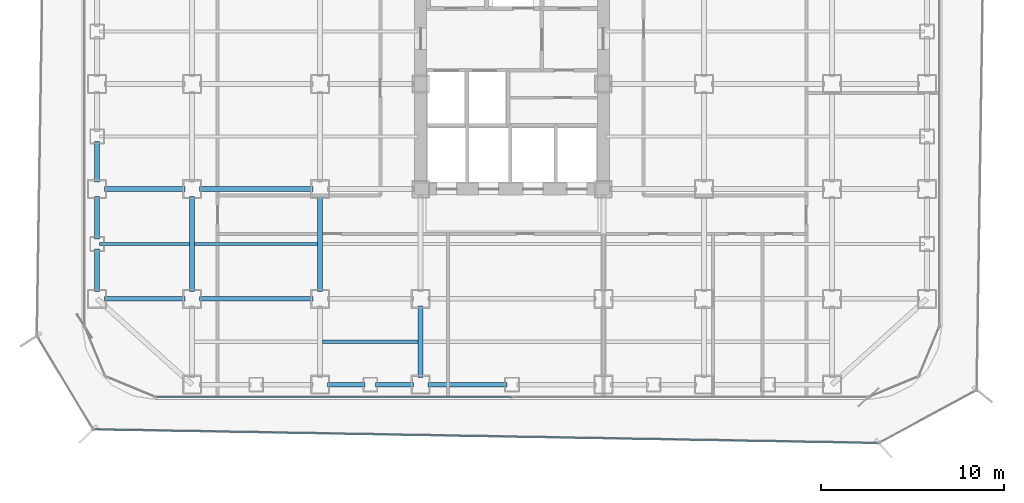
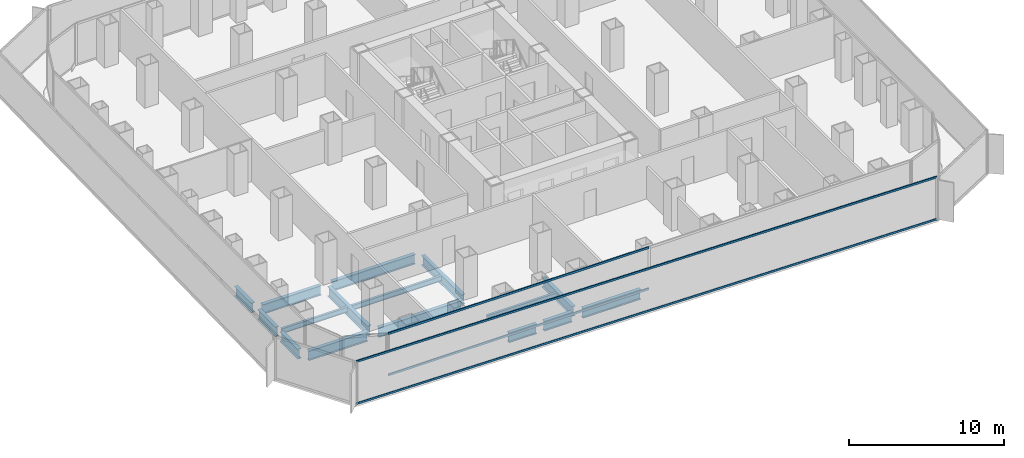
# One storey, part 3 of 21: 16 beams, 4 members, 2 elements without a shape of their own.
"""IFC4 building model written with IfcOpenShell, lengths in metres."""

from ifc_helpers import new_model, si_unit, direction, frame, origin, origin_2d, place, context, subcontext, project, spatial, hollow_rectangle, i_section, extrude, source, transform, mapped, material, layer, layer_set, material_profile, profile_set, type_object, element, aggregate, save


model = new_model("IFC4")

# Units and contexts
model_context = context("Model", 3, precision=1e-05, world=origin(), true_north=direction((0.0, 1.0)))
body_context = subcontext(model_context, "Body", "Model", "MODEL_VIEW")
ifc_project = project(units=[si_unit("LENGTHUNIT", "METRE"), si_unit("AREAUNIT", "SQUARE_METRE"), si_unit("VOLUMEUNIT", "CUBIC_METRE"), si_unit("PLANEANGLEUNIT", "RADIAN"), si_unit("MASSUNIT", "GRAM", prefix="KILO")], contexts=[model_context])

# Site, building, storey
site_placement = place(None, origin())
site = spatial("IfcSite", under=ifc_project, at=site_placement, CompositionType="ELEMENT")
building_placement = place(site_placement, origin())
building = spatial("IfcBuilding", under=site, at=building_placement, Name="Kolveth Station Tower", CompositionType="ELEMENT")
storey_placement = place(building_placement, frame((0.0, 0.0, 36.89990234375)))
storey = spatial("IfcBuildingStorey", under=building, at=storey_placement, Name="L09", CompositionType="ELEMENT", Elevation=36.89990234375)

# Beams
ifc_material_1 = material(Name="Steel S355", Category="steel")
ifc_material_profile_1 = material_profile(ifc_material_1, i_section(OverallWidth=0.26904296875, OverallDepth=0.77490234375, WebThickness=0.01708984375, FlangeThickness=0.0283203125, at=origin_2d()), Name="W760x220")
ifc_profile_set_1 = profile_set([ifc_material_profile_1], Name="Steel S355")
beam_type_1 = type_object("IfcBeamType", Name="Beam_SP1", PredefinedType="SPANDREL", material=ifc_profile_set_1)
shared_shape_1 = source(origin(), body_context, "Body", "SweptSolid", [
    extrude(i_section(OverallWidth=0.26904296875, OverallDepth=0.77490234375, WebThickness=0.01708984375, FlangeThickness=0.0283203125, at=origin_2d()), origin(), (0.0, 0.0, 1.0), 2.070068359375),
])
for number, where, z_axis, x_axis, name in (
    (1, (13.39990234375, 0.800048828125, -0.66748046875), (1.0, 0.0, 0.0), (0.0, 1.0, 0.0), "L09 Perimeter Spandrel BM-L09-PS-3"),
    (2, (16.030029296875, 0.800048828125, -0.66748046875), (1.0, 0.0, 0.0), (0.0, 1.0, 0.0), "L09 Perimeter Spandrel BM-L09-PS-4"),
):
    element("IfcBeam", number, at=place(storey_placement, frame(where, z_axis=z_axis, x_axis=x_axis)), inside=storey, type_object=beam_type_1, Name=name, PredefinedType="SPANDREL", context=body_context, shape_type="MappedRepresentation", body=[
        mapped(shared_shape_1, transform((0.0, 0.0, 0.0), x_axis=(1.0, 0.0, 0.0), y_axis=(0.0, 1.0, 0.0), z_axis=(0.0, 0.0, 1.0), scale=1.0)),
    ])
shared_shape_2 = source(origin(), body_context, "Body", "SweptSolid", [
    extrude(i_section(OverallWidth=0.26904296875, OverallDepth=0.77490234375, WebThickness=0.01708984375, FlangeThickness=0.0283203125, at=origin_2d()), origin(), (0.0, 0.0, 1.0), 4.320068359375),
])
beam_1_placement = place(storey_placement, frame((18.89990234375, 0.800048828125, -0.66748046875), z_axis=(1.0, 0.0, 0.0), x_axis=(0.0, 1.0, 0.0)))
element("IfcBeam", 3, at=beam_1_placement, inside=storey, type_object=beam_type_1, Name="L09 Perimeter Spandrel BM-L09-PS-5", PredefinedType="SPANDREL", context=body_context, shape_type="MappedRepresentation", body=[
    mapped(shared_shape_2, transform((0.0, 0.0, 0.0), x_axis=(1.0, 0.0, 0.0), y_axis=(0.0, 1.0, 0.0), z_axis=(0.0, 0.0, 1.0), scale=1.0)),
])
shared_shape_3 = source(origin(), body_context, "Body", "SweptSolid", [
    extrude(i_section(OverallWidth=0.26904296875, OverallDepth=0.77490234375, WebThickness=0.01708984375, FlangeThickness=0.0283203125, at=origin_2d()), origin(), (0.0, 0.0, 1.0), 2.320068359375),
])
for number, where, z_axis, x_axis, name in (
    (4, (0.800048828125, 5.89990234375, -0.66748046875), (0.0, 1.0, 0.0), (-1.0, 0.0, 0.0), "L09 Perimeter Spandrel BM-L09-PW-1"),
    (5, (0.800048828125, 8.780029296875, -0.66748046875), (0.0, 1.0, 0.0), (-1.0, 0.0, 0.0), "L09 Perimeter Spandrel BM-L09-PW-2"),
):
    element("IfcBeam", number, at=place(storey_placement, frame(where, z_axis=z_axis, x_axis=x_axis)), inside=storey, type_object=beam_type_1, Name=name, PredefinedType="SPANDREL", context=body_context, shape_type="MappedRepresentation", body=[
        mapped(shared_shape_3, transform((0.0, 0.0, 0.0), x_axis=(1.0, 0.0, 0.0), y_axis=(0.0, 1.0, 0.0), z_axis=(0.0, 0.0, 1.0), scale=1.0)),
    ])
shared_shape_4 = source(origin(), body_context, "Body", "SweptSolid", [
    extrude(i_section(OverallWidth=0.26904296875, OverallDepth=0.77490234375, WebThickness=0.01708984375, FlangeThickness=0.0283203125, at=origin_2d()), origin(), (0.0, 0.0, 1.0), 2.2001953125),
])
beam_2_placement = place(storey_placement, frame((0.800048828125, 11.89990234375, -0.66748046875), z_axis=(0.0, 1.0, 0.0), x_axis=(-1.0, 0.0, 0.0)))
element("IfcBeam", 6, at=beam_2_placement, inside=storey, type_object=beam_type_1, Name="L09 Perimeter Spandrel BM-L09-PW-3", PredefinedType="SPANDREL", context=body_context, shape_type="MappedRepresentation", body=[
    mapped(shared_shape_4, transform((0.0, 0.0, 0.0), x_axis=(1.0, 0.0, 0.0), y_axis=(0.0, 1.0, 0.0), z_axis=(0.0, 0.0, 1.0), scale=1.0)),
])
ifc_material_profile_2 = material_profile(ifc_material_1, i_section(OverallWidth=0.26708984375, OverallDepth=0.76611328125, WebThickness=0.014892578125, FlangeThickness=0.023681640625, at=origin_2d()), Name="W760x185")
ifc_profile_set_2 = profile_set([ifc_material_profile_2], Name="Steel S355")
beam_type_2 = type_object("IfcBeamType", Name="Beam_B3", PredefinedType="BEAM", material=ifc_profile_set_2)
shared_shape_5 = source(origin(), body_context, "Body", "SweptSolid", [
    extrude(i_section(OverallWidth=0.26708984375, OverallDepth=0.76611328125, WebThickness=0.014892578125, FlangeThickness=0.023681640625, at=origin_2d()), origin(), (0.0, 0.0, 1.0), 4.400146484375),
])
for number, where, z_axis, x_axis, name in (
    (7, (1.199951171875, 5.5, -0.662841796875), (1.0, 0.0, 0.0), (0.0, 1.0, 0.0), "L09 Primary Girder BM-L09-GY55-1"),
    (8, (1.199951171875, 11.5, -0.662841796875), (1.0, 0.0, 0.0), (0.0, 1.0, 0.0), "L09 Primary Girder BM-L09-GY115-1"),
):
    element("IfcBeam", number, at=place(storey_placement, frame(where, z_axis=z_axis, x_axis=x_axis)), inside=storey, type_object=beam_type_2, Name=name, PredefinedType="BEAM", context=body_context, shape_type="MappedRepresentation", body=[
        mapped(shared_shape_5, transform((0.0, 0.0, 0.0), x_axis=(1.0, 0.0, 0.0), y_axis=(0.0, 1.0, 0.0), z_axis=(0.0, 0.0, 1.0), scale=1.0)),
    ])
shared_shape_6 = source(origin(), body_context, "Body", "SweptSolid", [
    extrude(i_section(OverallWidth=0.26708984375, OverallDepth=0.76611328125, WebThickness=0.014892578125, FlangeThickness=0.023681640625, at=origin_2d()), origin(), (0.0, 0.0, 1.0), 6.2001953125),
])
for number, where, z_axis, x_axis, name in (
    (9, (6.39990234375, 5.5, -0.662841796875), (1.0, 0.0, 0.0), (0.0, 1.0, 0.0), "L09 Primary Girder BM-L09-GY55-2"),
    (10, (6.39990234375, 11.5, -0.662841796875), (1.0, 0.0, 0.0), (0.0, 1.0, 0.0), "L09 Primary Girder BM-L09-GY115-2"),
):
    element("IfcBeam", number, at=place(storey_placement, frame(where, z_axis=z_axis, x_axis=x_axis)), inside=storey, type_object=beam_type_2, Name=name, PredefinedType="BEAM", context=body_context, shape_type="MappedRepresentation", body=[
        mapped(shared_shape_6, transform((0.0, 0.0, 0.0), x_axis=(1.0, 0.0, 0.0), y_axis=(0.0, 1.0, 0.0), z_axis=(0.0, 0.0, 1.0), scale=1.0)),
    ])
shared_shape_7 = source(origin(), body_context, "Body", "SweptSolid", [
    extrude(i_section(OverallWidth=0.26708984375, OverallDepth=0.76611328125, WebThickness=0.014892578125, FlangeThickness=0.023681640625, at=origin_2d()), origin(), (0.0, 0.0, 1.0), 3.900146484375),
])
beam_3_placement = place(storey_placement, frame((18.5, 1.199951171875, -0.662841796875), z_axis=(0.0, 1.0, 0.0), x_axis=(-1.0, 0.0, 0.0)))
element("IfcBeam", 11, at=beam_3_placement, inside=storey, type_object=beam_type_2, Name="L09 Primary Girder BM-L09-GX185-1", PredefinedType="BEAM", context=body_context, shape_type="MappedRepresentation", body=[
    mapped(shared_shape_7, transform((0.0, 0.0, 0.0), x_axis=(1.0, 0.0, 0.0), y_axis=(0.0, 1.0, 0.0), z_axis=(0.0, 0.0, 1.0), scale=1.0)),
])
shared_shape_8 = source(origin(), body_context, "Body", "SweptSolid", [
    extrude(i_section(OverallWidth=0.26708984375, OverallDepth=0.76611328125, WebThickness=0.014892578125, FlangeThickness=0.023681640625, at=origin_2d()), origin(), (0.0, 0.0, 1.0), 5.2001953125),
])
for number, where, z_axis, x_axis, name in (
    (12, (6.0, 5.89990234375, -0.662841796875), (0.0, 1.0, 0.0), (-1.0, 0.0, 0.0), "L09 Primary Girder BM-L09-GX60-2"),
    (13, (13.0, 5.89990234375, -0.662841796875), (0.0, 1.0, 0.0), (-1.0, 0.0, 0.0), "L09 Primary Girder BM-L09-GX130-2"),
):
    element("IfcBeam", number, at=place(storey_placement, frame(where, z_axis=z_axis, x_axis=x_axis)), inside=storey, type_object=beam_type_2, Name=name, PredefinedType="BEAM", context=body_context, shape_type="MappedRepresentation", body=[
        mapped(shared_shape_8, transform((0.0, 0.0, 0.0), x_axis=(1.0, 0.0, 0.0), y_axis=(0.0, 1.0, 0.0), z_axis=(0.0, 0.0, 1.0), scale=1.0)),
    ])
ifc_material_profile_3 = material_profile(ifc_material_1, i_section(OverallWidth=0.177978515625, OverallDepth=0.406982421875, WebThickness=0.0078125, FlangeThickness=0.0126953125, at=origin_2d()), Name="W410x60")
ifc_profile_set_3 = profile_set([ifc_material_profile_3], Name="Steel S355")
beam_type_3 = type_object("IfcBeamType", Name="Beam_J1", PredefinedType="JOIST", material=ifc_profile_set_3)
shared_shape_9 = source(origin(), body_context, "Body", "SweptSolid", [
    extrude(i_section(OverallWidth=0.177978515625, OverallDepth=0.406982421875, WebThickness=0.0078125, FlangeThickness=0.0126953125, at=origin_2d()), origin(), (0.0, 0.0, 1.0), 4.935791015625),
])
beam_4_placement = place(storey_placement, frame((0.9326171875, 8.5, -0.4833984375), z_axis=(1.0, 0.0, 0.0), x_axis=(0.0, 1.0, 0.0)))
element("IfcBeam", 14, at=beam_4_placement, inside=storey, type_object=beam_type_3, Name="L09 Secondary Joist JST-L09-1-2", PredefinedType="JOIST", context=body_context, shape_type="MappedRepresentation", body=[
    mapped(shared_shape_9, transform((0.0, 0.0, 0.0), x_axis=(1.0, 0.0, 0.0), y_axis=(0.0, 1.0, 0.0), z_axis=(0.0, 0.0, 1.0), scale=1.0)),
])
shared_shape_10 = source(origin(), body_context, "Body", "SweptSolid", [
    extrude(i_section(OverallWidth=0.177978515625, OverallDepth=0.406982421875, WebThickness=0.0078125, FlangeThickness=0.0126953125, at=origin_2d()), origin(), (0.0, 0.0, 1.0), 6.73681640625),
])
beam_5_placement = place(storey_placement, frame((6.131591796875, 8.5, -0.4833984375), z_axis=(1.0, 0.0, 0.0), x_axis=(0.0, 1.0, 0.0)))
element("IfcBeam", 15, at=beam_5_placement, inside=storey, type_object=beam_type_3, Name="L09 Secondary Joist JST-L09-2-2", PredefinedType="JOIST", context=body_context, shape_type="MappedRepresentation", body=[
    mapped(shared_shape_10, transform((0.0, 0.0, 0.0), x_axis=(1.0, 0.0, 0.0), y_axis=(0.0, 1.0, 0.0), z_axis=(0.0, 0.0, 1.0), scale=1.0)),
])
shared_shape_11 = source(origin(), body_context, "Body", "SweptSolid", [
    extrude(i_section(OverallWidth=0.177978515625, OverallDepth=0.406982421875, WebThickness=0.0078125, FlangeThickness=0.0126953125, at=origin_2d()), origin(), (0.0, 0.0, 1.0), 5.23681640625),
])
beam_6_placement = place(storey_placement, frame((13.131591796875, 3.14990234375, -0.4833984375), z_axis=(1.0, 0.0, 0.0), x_axis=(0.0, 1.0, 0.0)))
element("IfcBeam", 16, at=beam_6_placement, inside=storey, type_object=beam_type_3, Name="L09 Secondary Joist JST-L09-3-1", PredefinedType="JOIST", context=body_context, shape_type="MappedRepresentation", body=[
    mapped(shared_shape_11, transform((0.0, 0.0, 0.0), x_axis=(1.0, 0.0, 0.0), y_axis=(0.0, 1.0, 0.0), z_axis=(0.0, 0.0, 1.0), scale=1.0)),
])

# Curtain wall, members
ifc_material_2 = material(Name="Aluminium 6063-T6 and low-E dark glass", Category="aluminium")
ifc_layer_1 = layer(ifc_material_2, 0.179931640625)
ifc_layer_set_1 = layer_set([ifc_layer_1], Name="Aluminium 6063-T6 and low-E dark glass")
curtain_wall_type_1 = type_object("IfcCurtainWallType", Name="CurtainWall_CW-Z1", PredefinedType="NOTDEFINED", material=ifc_layer_set_1)
curtain_wall_1_placement = place(storey_placement, origin())
curtain_wall_1 = element("IfcCurtainWall", 17, at=curtain_wall_1_placement, inside=storey, type_object=curtain_wall_type_1, Name="L09 Inner Thermal Curtain Wall 12", PredefinedType="NOTDEFINED")
ifc_material_3 = material(Name="Black anodized aluminium 6063-T6", Category="aluminium")
ifc_material_profile_4 = material_profile(ifc_material_3, hollow_rectangle(XDim=0.074951171875, YDim=0.159912109375, WallThickness=0.0048828125, at=origin_2d()), Name="ALU-75x160x5")
ifc_profile_set_4 = profile_set([ifc_material_profile_4], Name="Black anodized aluminium 6063-T6")
member_type_1 = type_object("IfcMemberType", Name="Transom_TR1", PredefinedType="USERDEFINED", material=ifc_profile_set_4)
shared_shape_12 = source(origin(), body_context, "Body", "SweptSolid", [
    extrude(hollow_rectangle(XDim=0.074951171875, YDim=0.159912109375, WallThickness=0.0048828125, at=origin_2d()), origin(), (0.0, 0.0, 1.0), 19.387451171875),
])
member_1_placement = place(storey_placement, frame((4.074951171875, 0.1201171875, 0.03759765625), z_axis=(1.0, 0.0, 0.0), x_axis=(0.0, 1.0, 0.0)))
member_1 = element("IfcMember", 18, at=member_1_placement, type_object=member_type_1, Name="CW-Z1 transom 1.1", ObjectType="TRANSOM", PredefinedType="USERDEFINED", context=body_context, shape_type="MappedRepresentation", body=[
    mapped(shared_shape_12, transform((0.0, 0.0, 0.0), x_axis=(1.0, 0.0, 0.0), y_axis=(0.0, 1.0, 0.0), z_axis=(0.0, 0.0, 1.0), scale=1.0)),
])
member_2_placement = place(storey_placement, frame((4.074951171875, 0.1201171875, 3.28271484375), z_axis=(1.0, 0.0, 0.0), x_axis=(0.0, 1.0, 0.0)))
member_2 = element("IfcMember", 19, at=member_2_placement, type_object=member_type_1, Name="CW-Z1 transom 1.2", ObjectType="TRANSOM", PredefinedType="USERDEFINED", context=body_context, shape_type="MappedRepresentation", body=[
    mapped(shared_shape_12, transform((0.0, 0.0, 0.0), x_axis=(1.0, 0.0, 0.0), y_axis=(0.0, 1.0, 0.0), z_axis=(0.0, 0.0, 1.0), scale=1.0)),
])
aggregate(curtain_wall_1, [member_1, member_2])

ifc_material_4 = material(Name="Black anodized aluminium 6063-T6 and dark solar glass", Category="aluminium")
ifc_layer_2 = layer(ifc_material_4, 0.159912109375)
ifc_layer_set_2 = layer_set([ifc_layer_2], Name="Black anodized aluminium 6063-T6 and dark solar glass")
curtain_wall_type_2 = type_object("IfcCurtainWallType", Name="OUTER SKIN CW-OS", PredefinedType="NOTDEFINED", material=ifc_layer_set_2)
curtain_wall_2_placement = place(storey_placement, origin())
curtain_wall_2 = element("IfcCurtainWall", 20, at=curtain_wall_2_placement, inside=storey, type_object=curtain_wall_type_2, Name="L09 Outer Ventilated Skin Curtain Wall 8", PredefinedType="NOTDEFINED")
ifc_material_profile_5 = material_profile(ifc_material_3, hollow_rectangle(XDim=0.080078125, YDim=0.14990234375, WallThickness=0.0048828125, at=origin_2d()), Name="ALU-80x150x5")
ifc_profile_set_5 = profile_set([ifc_material_profile_5], Name="Black anodized aluminium 6063-T6")
member_type_2 = type_object("IfcMemberType", Name="Transom_TR-OS", PredefinedType="USERDEFINED", material=ifc_profile_set_5)
shared_shape_13 = source(origin(), body_context, "Body", "SweptSolid", [
    extrude(hollow_rectangle(XDim=0.080078125, YDim=0.14990234375, WallThickness=0.0048828125, at=origin_2d()), origin(), (0.0, 0.0, 1.0), 42.799072265625),
])
member_3_placement = place(storey_placement, frame((0.68603515625, -1.644775390625, 0.0400390625), z_axis=(0.999848937481, -0.017381087937, 0.0), x_axis=(0.017381087937, 0.999848937481, 0.0)))
member_3 = element("IfcMember", 21, at=member_3_placement, type_object=member_type_2, Name="CW-OS transom 1.1", ObjectType="TRANSOM", PredefinedType="USERDEFINED", context=body_context, shape_type="MappedRepresentation", body=[
    mapped(shared_shape_13, transform((0.0, 0.0, 0.0), x_axis=(1.0, 0.0, 0.0), y_axis=(0.0, 1.0, 0.0), z_axis=(0.0, 0.0, 1.0), scale=1.0)),
])
member_4_placement = place(storey_placement, frame((0.68603515625, -1.644775390625, 3.35009765625), z_axis=(0.999848937481, -0.017381087937, 0.0), x_axis=(0.017381087937, 0.999848937481, 0.0)))
member_4 = element("IfcMember", 22, at=member_4_placement, type_object=member_type_2, Name="CW-OS transom 1.2", ObjectType="TRANSOM", PredefinedType="USERDEFINED", context=body_context, shape_type="MappedRepresentation", body=[
    mapped(shared_shape_13, transform((0.0, 0.0, 0.0), x_axis=(1.0, 0.0, 0.0), y_axis=(0.0, 1.0, 0.0), z_axis=(0.0, 0.0, 1.0), scale=1.0)),
])
aggregate(curtain_wall_2, [member_3, member_4])

save(model, "model.ifc")
